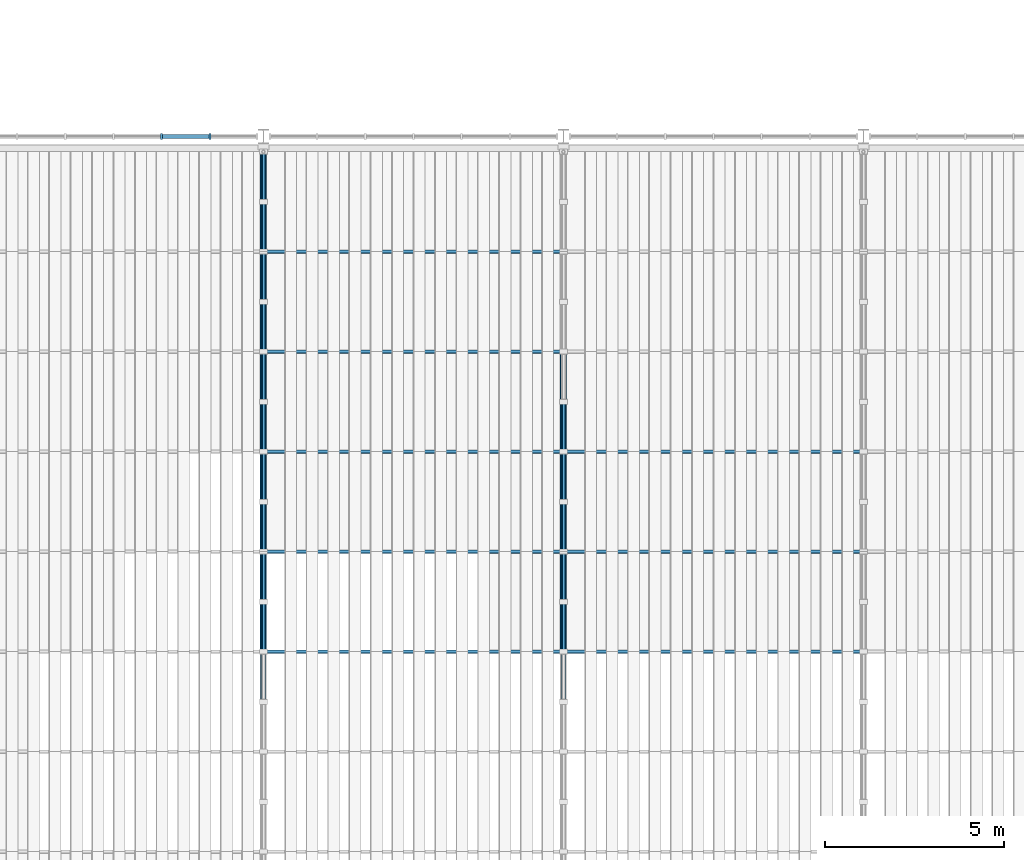
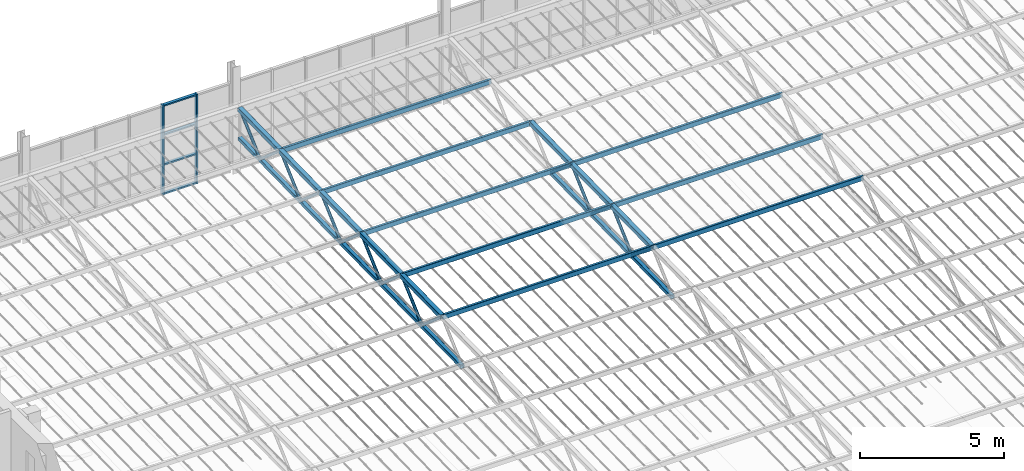
# One storey, part 21 of 129: 46 members, 1 element without a shape of its own.
"""IFC4 building model written with IfcOpenShell, lengths in metres."""

from ifc_helpers import new_model, si_unit, direction, frame, origin, origin_2d, place, context, subcontext, project, spatial, rectangle, hollow_rectangle, hollow_circle, extrude, material, layer, layer_set, material_profile, profile_set, type_object, element, aggregate, save


model = new_model("IFC4")

# Units and contexts
model_context = context("Model", 3, precision=1e-05, world=origin(), true_north=direction((0.0, 1.0)))
body_context = subcontext(model_context, "Body", "Model", "MODEL_VIEW")
ifc_project = project(units=[si_unit("LENGTHUNIT", "METRE"), si_unit("AREAUNIT", "SQUARE_METRE"), si_unit("VOLUMEUNIT", "CUBIC_METRE"), si_unit("PLANEANGLEUNIT", "RADIAN"), si_unit("MASSUNIT", "GRAM", prefix="KILO")], contexts=[model_context])

# Site, building, storey
site_placement = place(None, origin())
site = spatial("IfcSite", under=ifc_project, at=site_placement, CompositionType="ELEMENT")
building_placement = place(site_placement, origin())
building = spatial("IfcBuilding", under=site, at=building_placement, Name="Ardhachandra Cancer Care Centre", CompositionType="ELEMENT")
storey_placement = place(building_placement, frame((0.0, 0.0, 4.5)))
storey = spatial("IfcBuildingStorey", under=building, at=storey_placement, Name="L01", CompositionType="ELEMENT", Elevation=4.5)

# Members
ifc_material_1 = material(Name="Steel E350 (IS 2062)", Category="steel")
ifc_material_profile_1 = material_profile(ifc_material_1, hollow_rectangle(XDim=0.10009765625, YDim=0.199951171875, WallThickness=0.006103515625, InnerFilletRadius=0.006103515625, OuterFilletRadius=0.011962890625, at=origin_2d()), Name="RHS 200x100x6.0")
ifc_profile_set_1 = profile_set([ifc_material_profile_1], Name="Steel E350 (IS 2062)")
member_type_1 = type_object("IfcMemberType", Name="Canopy purlin RHS 200x100x6.0", PredefinedType="PURLIN", material=ifc_profile_set_1)
for number, where, z_axis, x_axis, name in (
    (1, (61.199951171875, 51.375, 2.78759765625), (1.0, 0.0, 0.0), (0.0, 1.0, 0.0), "Canopy purlin 1-3"),
    (2, (61.199951171875, 48.574951171875, 2.7314453125), (1.0, 0.0, 0.0), (0.0, 1.0, 0.0), "Canopy purlin 2-3"),
    (3, (61.199951171875, 45.77490234375, 2.675537109375), (1.0, 0.0, 0.0), (0.0, 1.0, 0.0), "Canopy purlin 3-3"),
):
    element("IfcMember", number, at=place(storey_placement, frame(where, z_axis=z_axis, x_axis=x_axis)), inside=storey, type_object=member_type_1, Name=name, PredefinedType="PURLIN", context=body_context, shape_type="SweptSolid", body=[
        extrude(hollow_rectangle(XDim=0.10009765625, YDim=0.199951171875, WallThickness=0.006103515625, InnerFilletRadius=0.006103515625, OuterFilletRadius=0.011962890625, at=origin_2d()), origin(), (0.0, 0.0, 1.0), 8.400146484375),
    ])
member_1_placement = place(storey_placement, frame((69.60009765625, 45.77490234375, 2.675537109375), z_axis=(1.0, 0.0, 0.0), x_axis=(0.0, 1.0, 0.0)))
element("IfcMember", 4, at=member_1_placement, inside=storey, type_object=member_type_1, Name="Canopy purlin 3-4", PredefinedType="PURLIN", context=body_context, shape_type="SweptSolid", body=[
    extrude(hollow_rectangle(XDim=0.10009765625, YDim=0.199951171875, WallThickness=0.006103515625, InnerFilletRadius=0.006103515625, OuterFilletRadius=0.011962890625, at=origin_2d()), origin(), (0.0, 0.0, 1.0), 8.39990234375),
])
member_2_placement = place(storey_placement, frame((61.199951171875, 42.97509765625, 2.619384765625), z_axis=(1.0, 0.0, 0.0), x_axis=(0.0, 1.0, 0.0)))
element("IfcMember", 5, at=member_2_placement, inside=storey, type_object=member_type_1, Name="Canopy purlin 4-3", PredefinedType="PURLIN", context=body_context, shape_type="SweptSolid", body=[
    extrude(hollow_rectangle(XDim=0.10009765625, YDim=0.199951171875, WallThickness=0.006103515625, InnerFilletRadius=0.006103515625, OuterFilletRadius=0.011962890625, at=origin_2d()), origin(), (0.0, 0.0, 1.0), 8.400146484375),
])
member_3_placement = place(storey_placement, frame((69.60009765625, 42.97509765625, 2.619384765625), z_axis=(1.0, 0.0, 0.0), x_axis=(0.0, 1.0, 0.0)))
element("IfcMember", 6, at=member_3_placement, inside=storey, type_object=member_type_1, Name="Canopy purlin 4-4", PredefinedType="PURLIN", context=body_context, shape_type="SweptSolid", body=[
    extrude(hollow_rectangle(XDim=0.10009765625, YDim=0.199951171875, WallThickness=0.006103515625, InnerFilletRadius=0.006103515625, OuterFilletRadius=0.011962890625, at=origin_2d()), origin(), (0.0, 0.0, 1.0), 8.39990234375),
])
member_4_placement = place(storey_placement, frame((61.199951171875, 40.175048828125, 2.5634765625), z_axis=(1.0, 0.0, 0.0), x_axis=(0.0, 1.0, 0.0)))
element("IfcMember", 7, at=member_4_placement, inside=storey, type_object=member_type_1, Name="Canopy purlin 5-3", PredefinedType="PURLIN", context=body_context, shape_type="SweptSolid", body=[
    extrude(hollow_rectangle(XDim=0.10009765625, YDim=0.199951171875, WallThickness=0.006103515625, InnerFilletRadius=0.006103515625, OuterFilletRadius=0.011962890625, at=origin_2d()), origin(), (0.0, 0.0, 1.0), 8.400146484375),
])
member_5_placement = place(storey_placement, frame((69.60009765625, 40.175048828125, 2.5634765625), z_axis=(1.0, 0.0, 0.0), x_axis=(0.0, 1.0, 0.0)))
element("IfcMember", 8, at=member_5_placement, inside=storey, type_object=member_type_1, Name="Canopy purlin 5-4", PredefinedType="PURLIN", context=body_context, shape_type="SweptSolid", body=[
    extrude(hollow_rectangle(XDim=0.10009765625, YDim=0.199951171875, WallThickness=0.006103515625, InnerFilletRadius=0.006103515625, OuterFilletRadius=0.011962890625, at=origin_2d()), origin(), (0.0, 0.0, 1.0), 8.39990234375),
])
ifc_material_2 = material(Name="Steel E350 (IS 2062)", Category="steel")
ifc_material_profile_2 = material_profile(ifc_material_2, hollow_rectangle(XDim=0.14990234375, YDim=0.14990234375, WallThickness=0.006103515625, InnerFilletRadius=0.006103515625, OuterFilletRadius=0.011962890625, at=origin_2d()), Name="SHS 150x150x6.0")
ifc_profile_set_2 = profile_set([ifc_material_profile_2], Name="Steel E350 (IS 2062)")
member_type_2 = type_object("IfcMemberType", Name="Canopy truss bottom chord SHS 150x150x6.0", PredefinedType="CHORD", material=ifc_profile_set_2)
member_6_placement = place(storey_placement, frame((61.199951171875, 54.175048828125, 1.618408203125), z_axis=(0.0, -0.999802492231, -0.019874016411), x_axis=(1.0, 0.0, 0.0)))
element("IfcMember", 9, at=member_6_placement, inside=storey, type_object=member_type_2, Name="Canopy truss 3 bottom chord BC11", PredefinedType="CHORD", context=body_context, shape_type="SweptSolid", body=[
    extrude(hollow_rectangle(XDim=0.14990234375, YDim=0.14990234375, WallThickness=0.006103515625, InnerFilletRadius=0.006103515625, OuterFilletRadius=0.011962890625, at=origin_2d()), origin(), (0.0, 0.0, 1.0), 1.400390625),
])
member_7_placement = place(storey_placement, frame((61.199951171875, 52.77490234375, 1.590576171875), z_axis=(0.0, -0.999798942946, -0.020051775103), x_axis=(1.0, 0.0, 0.0)))
element("IfcMember", 10, at=member_7_placement, inside=storey, type_object=member_type_2, Name="Canopy truss 3 bottom chord BC12", PredefinedType="CHORD", context=body_context, shape_type="SweptSolid", body=[
    extrude(hollow_rectangle(XDim=0.14990234375, YDim=0.14990234375, WallThickness=0.006103515625, InnerFilletRadius=0.006103515625, OuterFilletRadius=0.011962890625, at=origin_2d()), origin(), (0.0, 0.0, 1.0), 2.80029296875),
])
for number, where, z_axis, x_axis, name in (
    (11, (61.199951171875, 49.97509765625, 1.534423828125), (0.0, -0.999800721691, -0.019962888244), (1.0, 0.0, 0.0), "Canopy truss 3 bottom chord BC13"),
    (12, (61.199951171875, 47.175048828125, 1.478515625), (0.0, -0.999800721691, -0.019962888244), (1.0, 0.0, 0.0), "Canopy truss 3 bottom chord BC14"),
    (13, (61.199951171875, 44.375, 1.422607421875), (0.0, -0.999798977995, -0.02005002746), (1.0, 0.0, 0.0), "Canopy truss 3 bottom chord BC15"),
    (14, (61.199951171875, 41.574951171875, 1.366455078125), (0.0, -0.999800721691, -0.019962888244), (1.0, 0.0, 0.0), "Canopy truss 3 bottom chord BC16"),
    (15, (69.60009765625, 47.175048828125, 1.478515625), (0.0, -0.999800721691, -0.019962888244), (1.0, 0.0, 0.0), "Canopy truss 4 bottom chord BC15"),
    (16, (69.60009765625, 44.375, 1.422607421875), (0.0, -0.999798977995, -0.02005002746), (1.0, 0.0, 0.0), "Canopy truss 4 bottom chord BC16"),
    (17, (69.60009765625, 41.574951171875, 1.366455078125), (0.0, -0.999800721691, -0.019962888244), (1.0, 0.0, 0.0), "Canopy truss 4 bottom chord BC17"),
):
    element("IfcMember", number, at=place(storey_placement, frame(where, z_axis=z_axis, x_axis=x_axis)), inside=storey, type_object=member_type_2, Name=name, PredefinedType="CHORD", context=body_context, shape_type="SweptSolid", body=[
        extrude(hollow_rectangle(XDim=0.14990234375, YDim=0.14990234375, WallThickness=0.006103515625, InnerFilletRadius=0.006103515625, OuterFilletRadius=0.011962890625, at=origin_2d()), origin(), (0.0, 0.0, 1.0), 2.800537109375),
    ])
ifc_material_3 = material(Name="Steel E350 (IS 2062)", Category="steel")
ifc_material_profile_3 = material_profile(ifc_material_3, hollow_circle(Radius=0.05712890625, WallThickness=0.0048828125, at=origin_2d()), Name="CHS 114.3x5.0")
ifc_profile_set_3 = profile_set([ifc_material_profile_3], Name="Steel E350 (IS 2062)")
member_type_3 = type_object("IfcMemberType", Name="Canopy truss diagonal CHS 114.3x5.0", PredefinedType="BRACE", material=ifc_profile_set_3)
member_8_placement = place(storey_placement, frame((61.199951171875, 54.175048828125, 2.853515625), z_axis=(0.0, -0.742553308775, -0.669786968839), x_axis=(1.0, 0.0, 0.0)))
element("IfcMember", 18, at=member_8_placement, inside=storey, type_object=member_type_3, Name="Canopy truss 3 web diagonal WD22", PredefinedType="BRACE", context=body_context, shape_type="SweptSolid", body=[
    extrude(hollow_circle(Radius=0.05712890625, WallThickness=0.0048828125, at=origin_2d()), origin(), (0.0, 0.0, 1.0), 1.885498046875),
])
member_9_placement = place(storey_placement, frame((61.199951171875, 52.77490234375, 1.590576171875), z_axis=(0.0, -0.757351396119, 0.653007551868), x_axis=(1.0, 0.0, 0.0)))
element("IfcMember", 19, at=member_9_placement, inside=storey, type_object=member_type_3, Name="Canopy truss 3 web diagonal WD23", PredefinedType="BRACE", context=body_context, shape_type="SweptSolid", body=[
    extrude(hollow_circle(Radius=0.05712890625, WallThickness=0.0048828125, at=origin_2d()), origin(), (0.0, 0.0, 1.0), 1.848388671875),
])
member_10_placement = place(storey_placement, frame((61.199951171875, 51.375, 2.797607421875), z_axis=(0.0, -0.742430813776, -0.669922746857), x_axis=(1.0, 0.0, 0.0)))
element("IfcMember", 20, at=member_10_placement, inside=storey, type_object=member_type_3, Name="Canopy truss 3 web diagonal WD24", PredefinedType="BRACE", context=body_context, shape_type="SweptSolid", body=[
    extrude(hollow_circle(Radius=0.05712890625, WallThickness=0.0048828125, at=origin_2d()), origin(), (0.0, 0.0, 1.0), 1.885498046875),
])
member_11_placement = place(storey_placement, frame((61.199951171875, 49.97509765625, 1.534423828125), z_axis=(0.0, -0.75740770942, 0.65294223459), x_axis=(1.0, 0.0, 0.0)))
element("IfcMember", 21, at=member_11_placement, inside=storey, type_object=member_type_3, Name="Canopy truss 3 web diagonal WD25", PredefinedType="BRACE", context=body_context, shape_type="SweptSolid", body=[
    extrude(hollow_circle(Radius=0.05712890625, WallThickness=0.0048828125, at=origin_2d()), origin(), (0.0, 0.0, 1.0), 1.8486328125),
])
member_12_placement = place(storey_placement, frame((61.199951171875, 48.574951171875, 2.741455078125), z_axis=(0.0, -0.742495214915, -0.669851368461), x_axis=(1.0, 0.0, 0.0)))
element("IfcMember", 22, at=member_12_placement, inside=storey, type_object=member_type_3, Name="Canopy truss 3 web diagonal WD26", PredefinedType="BRACE", context=body_context, shape_type="SweptSolid", body=[
    extrude(hollow_circle(Radius=0.05712890625, WallThickness=0.0048828125, at=origin_2d()), origin(), (0.0, 0.0, 1.0), 1.885498046875),
])
member_13_placement = place(storey_placement, frame((61.199951171875, 47.175048828125, 1.478515625), z_axis=(0.0, -0.75740770942, 0.65294223459), x_axis=(1.0, 0.0, 0.0)))
element("IfcMember", 23, at=member_13_placement, inside=storey, type_object=member_type_3, Name="Canopy truss 3 web diagonal WD27", PredefinedType="BRACE", context=body_context, shape_type="SweptSolid", body=[
    extrude(hollow_circle(Radius=0.05712890625, WallThickness=0.0048828125, at=origin_2d()), origin(), (0.0, 0.0, 1.0), 1.8486328125),
])
member_14_placement = place(storey_placement, frame((61.199951171875, 45.77490234375, 2.685546875), z_axis=(0.0, -0.742495214915, -0.669851368461), x_axis=(1.0, 0.0, 0.0)))
element("IfcMember", 24, at=member_14_placement, inside=storey, type_object=member_type_3, Name="Canopy truss 3 web diagonal WD28", PredefinedType="BRACE", context=body_context, shape_type="SweptSolid", body=[
    extrude(hollow_circle(Radius=0.05712890625, WallThickness=0.0048828125, at=origin_2d()), origin(), (0.0, 0.0, 1.0), 1.885498046875),
])
member_15_placement = place(storey_placement, frame((61.199951171875, 44.375, 1.422607421875), z_axis=(0.0, -0.757416719347, 0.652931783002), x_axis=(1.0, 0.0, 0.0)))
element("IfcMember", 25, at=member_15_placement, inside=storey, type_object=member_type_3, Name="Canopy truss 3 web diagonal WD29", PredefinedType="BRACE", context=body_context, shape_type="SweptSolid", body=[
    extrude(hollow_circle(Radius=0.05712890625, WallThickness=0.0048828125, at=origin_2d()), origin(), (0.0, 0.0, 1.0), 1.84814453125),
])
member_16_placement = place(storey_placement, frame((61.199951171875, 42.97509765625, 2.62939453125), z_axis=(0.0, -0.742553308775, -0.669786968839), x_axis=(1.0, 0.0, 0.0)))
element("IfcMember", 26, at=member_16_placement, inside=storey, type_object=member_type_3, Name="Canopy truss 3 web diagonal WD30", PredefinedType="BRACE", context=body_context, shape_type="SweptSolid", body=[
    extrude(hollow_circle(Radius=0.05712890625, WallThickness=0.0048828125, at=origin_2d()), origin(), (0.0, 0.0, 1.0), 1.885498046875),
])
member_17_placement = place(storey_placement, frame((61.199951171875, 41.574951171875, 1.366455078125), z_axis=(0.0, -0.757351396119, 0.653007551868), x_axis=(1.0, 0.0, 0.0)))
element("IfcMember", 27, at=member_17_placement, inside=storey, type_object=member_type_3, Name="Canopy truss 3 web diagonal WD31", PredefinedType="BRACE", context=body_context, shape_type="SweptSolid", body=[
    extrude(hollow_circle(Radius=0.05712890625, WallThickness=0.0048828125, at=origin_2d()), origin(), (0.0, 0.0, 1.0), 1.848388671875),
])
member_18_placement = place(storey_placement, frame((69.60009765625, 47.175048828125, 1.478515625), z_axis=(0.0, -0.75740770942, 0.65294223459), x_axis=(1.0, 0.0, 0.0)))
element("IfcMember", 28, at=member_18_placement, inside=storey, type_object=member_type_3, Name="Canopy truss 4 web diagonal WD28", PredefinedType="BRACE", context=body_context, shape_type="SweptSolid", body=[
    extrude(hollow_circle(Radius=0.05712890625, WallThickness=0.0048828125, at=origin_2d()), origin(), (0.0, 0.0, 1.0), 1.8486328125),
])
member_19_placement = place(storey_placement, frame((69.60009765625, 45.77490234375, 2.685546875), z_axis=(0.0, -0.742495214915, -0.669851368461), x_axis=(1.0, 0.0, 0.0)))
element("IfcMember", 29, at=member_19_placement, inside=storey, type_object=member_type_3, Name="Canopy truss 4 web diagonal WD29", PredefinedType="BRACE", context=body_context, shape_type="SweptSolid", body=[
    extrude(hollow_circle(Radius=0.05712890625, WallThickness=0.0048828125, at=origin_2d()), origin(), (0.0, 0.0, 1.0), 1.885498046875),
])
member_20_placement = place(storey_placement, frame((69.60009765625, 44.375, 1.422607421875), z_axis=(0.0, -0.757416719347, 0.652931783002), x_axis=(1.0, 0.0, 0.0)))
element("IfcMember", 30, at=member_20_placement, inside=storey, type_object=member_type_3, Name="Canopy truss 4 web diagonal WD30", PredefinedType="BRACE", context=body_context, shape_type="SweptSolid", body=[
    extrude(hollow_circle(Radius=0.05712890625, WallThickness=0.0048828125, at=origin_2d()), origin(), (0.0, 0.0, 1.0), 1.84814453125),
])
member_21_placement = place(storey_placement, frame((69.60009765625, 42.97509765625, 2.62939453125), z_axis=(0.0, -0.742553308775, -0.669786968839), x_axis=(1.0, 0.0, 0.0)))
element("IfcMember", 31, at=member_21_placement, inside=storey, type_object=member_type_3, Name="Canopy truss 4 web diagonal WD31", PredefinedType="BRACE", context=body_context, shape_type="SweptSolid", body=[
    extrude(hollow_circle(Radius=0.05712890625, WallThickness=0.0048828125, at=origin_2d()), origin(), (0.0, 0.0, 1.0), 1.885498046875),
])
member_22_placement = place(storey_placement, frame((69.60009765625, 41.574951171875, 1.366455078125), z_axis=(0.0, -0.757351396119, 0.653007551868), x_axis=(1.0, 0.0, 0.0)))
element("IfcMember", 32, at=member_22_placement, inside=storey, type_object=member_type_3, Name="Canopy truss 4 web diagonal WD32", PredefinedType="BRACE", context=body_context, shape_type="SweptSolid", body=[
    extrude(hollow_circle(Radius=0.05712890625, WallThickness=0.0048828125, at=origin_2d()), origin(), (0.0, 0.0, 1.0), 1.848388671875),
])
ifc_material_4 = material(Name="Steel E350 (IS 2062)", Category="steel")
ifc_material_profile_4 = material_profile(ifc_material_4, hollow_rectangle(XDim=0.179931640625, YDim=0.179931640625, WallThickness=0.008056640625, InnerFilletRadius=0.008056640625, OuterFilletRadius=0.01611328125, at=origin_2d()), Name="SHS 180x180x8.0")
ifc_profile_set_4 = profile_set([ifc_material_profile_4], Name="Steel E350 (IS 2062)")
member_type_4 = type_object("IfcMemberType", Name="Canopy truss top chord SHS 180x180x8.0", PredefinedType="CHORD", material=ifc_profile_set_4)
for number, where, z_axis, x_axis, name in (
    (33, (61.199951171875, 54.175048828125, 2.853515625), (0.0, -0.999800721691, -0.019962888244), (1.0, 0.0, 0.0), "Canopy truss 3 top chord TC1"),
    (34, (61.199951171875, 51.375, 2.797607421875), (0.0, -0.999798977995, -0.02005002746), (1.0, 0.0, 0.0), "Canopy truss 3 top chord TC2"),
    (35, (61.199951171875, 48.574951171875, 2.741455078125), (0.0, -0.999800721691, -0.019962888244), (1.0, 0.0, 0.0), "Canopy truss 3 top chord TC3"),
):
    element("IfcMember", number, at=place(storey_placement, frame(where, z_axis=z_axis, x_axis=x_axis)), inside=storey, type_object=member_type_4, Name=name, PredefinedType="CHORD", context=body_context, shape_type="SweptSolid", body=[
        extrude(hollow_rectangle(XDim=0.179931640625, YDim=0.179931640625, WallThickness=0.008056640625, InnerFilletRadius=0.008056640625, OuterFilletRadius=0.01611328125, at=origin_2d()), origin(), (0.0, 0.0, 1.0), 2.800537109375),
    ])
member_23_placement = place(storey_placement, frame((61.199951171875, 45.77490234375, 2.685546875), z_axis=(0.0, -0.999798942946, -0.020051775103), x_axis=(1.0, 0.0, 0.0)))
element("IfcMember", 36, at=member_23_placement, inside=storey, type_object=member_type_4, Name="Canopy truss 3 top chord TC4", PredefinedType="CHORD", context=body_context, shape_type="SweptSolid", body=[
    extrude(hollow_rectangle(XDim=0.179931640625, YDim=0.179931640625, WallThickness=0.008056640625, InnerFilletRadius=0.008056640625, OuterFilletRadius=0.01611328125, at=origin_2d()), origin(), (0.0, 0.0, 1.0), 2.80029296875),
])
for number, where, z_axis, x_axis, name in (
    (37, (61.199951171875, 42.97509765625, 2.62939453125), (0.0, -0.999800721691, -0.019962888244), (1.0, 0.0, 0.0), "Canopy truss 3 top chord TC5"),
    (38, (69.60009765625, 48.574951171875, 2.741455078125), (0.0, -0.999800721691, -0.019962888244), (1.0, 0.0, 0.0), "Canopy truss 4 top chord TC3"),
):
    element("IfcMember", number, at=place(storey_placement, frame(where, z_axis=z_axis, x_axis=x_axis)), inside=storey, type_object=member_type_4, Name=name, PredefinedType="CHORD", context=body_context, shape_type="SweptSolid", body=[
        extrude(hollow_rectangle(XDim=0.179931640625, YDim=0.179931640625, WallThickness=0.008056640625, InnerFilletRadius=0.008056640625, OuterFilletRadius=0.01611328125, at=origin_2d()), origin(), (0.0, 0.0, 1.0), 2.800537109375),
    ])
member_24_placement = place(storey_placement, frame((69.60009765625, 45.77490234375, 2.685546875), z_axis=(0.0, -0.999798942946, -0.020051775103), x_axis=(1.0, 0.0, 0.0)))
element("IfcMember", 39, at=member_24_placement, inside=storey, type_object=member_type_4, Name="Canopy truss 4 top chord TC4", PredefinedType="CHORD", context=body_context, shape_type="SweptSolid", body=[
    extrude(hollow_rectangle(XDim=0.179931640625, YDim=0.179931640625, WallThickness=0.008056640625, InnerFilletRadius=0.008056640625, OuterFilletRadius=0.01611328125, at=origin_2d()), origin(), (0.0, 0.0, 1.0), 2.80029296875),
])
member_25_placement = place(storey_placement, frame((69.60009765625, 42.97509765625, 2.62939453125), z_axis=(0.0, -0.999800721691, -0.019962888244), x_axis=(1.0, 0.0, 0.0)))
element("IfcMember", 40, at=member_25_placement, inside=storey, type_object=member_type_4, Name="Canopy truss 4 top chord TC5", PredefinedType="CHORD", context=body_context, shape_type="SweptSolid", body=[
    extrude(hollow_rectangle(XDim=0.179931640625, YDim=0.179931640625, WallThickness=0.008056640625, InnerFilletRadius=0.008056640625, OuterFilletRadius=0.01611328125, at=origin_2d()), origin(), (0.0, 0.0, 1.0), 2.800537109375),
])

# Curtain wall, members
ifc_material_5 = material(Name="Aluminium extrusion", Category="aluminium")
ifc_layer = layer(ifc_material_5, 0.14990234375)
ifc_layer_set = layer_set([ifc_layer], Name="Aluminium extrusion")
curtain_wall_type = type_object("IfcCurtainWallType", Name="Curtain wall run", PredefinedType="NOTDEFINED", material=ifc_layer_set)
curtain_wall_placement = place(storey_placement, origin())
curtain_wall = element("IfcCurtainWall", 41, at=curtain_wall_placement, inside=storey, type_object=curtain_wall_type, Name="Curtain wall L01 s/0052800_0054600", PredefinedType="NOTDEFINED")
ifc_material_6 = material(Name="Aluminium extrusion", Category="aluminium")
ifc_material_profile_5 = material_profile(ifc_material_6, rectangle(XDim=0.159912109375, YDim=0.06005859375, at=origin_2d()), Name="Curtain wall mullion 60 x 160")
ifc_profile_set_5 = profile_set([ifc_material_profile_5], Name="Aluminium extrusion")
member_type_5 = type_object("IfcMemberType", Name="Curtain wall mullion 60 x 160", PredefinedType="MULLION", material=ifc_profile_set_5)
member_26_placement = place(storey_placement, frame((58.35009765625, 54.60009765625, 0.0), z_axis=(0.0, 0.0, 1.0), x_axis=(0.0, 1.0, 0.0)))
member_26 = element("IfcMember", 42, at=member_26_placement, type_object=member_type_5, Name="CW mullion 5", PredefinedType="MULLION", context=body_context, shape_type="SweptSolid", body=[
    extrude(rectangle(XDim=0.159912109375, YDim=0.06005859375, at=origin_2d()), origin(), (0.0, 0.0, 1.0), 3.780517578125),
])
member_27_placement = place(storey_placement, frame((59.699951171875, 54.60009765625, 0.0), z_axis=(0.0, 0.0, 1.0), x_axis=(0.0, 1.0, 0.0)))
member_27 = element("IfcMember", 43, at=member_27_placement, type_object=member_type_5, Name="CW mullion 6", PredefinedType="MULLION", context=body_context, shape_type="SweptSolid", body=[
    extrude(rectangle(XDim=0.159912109375, YDim=0.06005859375, at=origin_2d()), origin(), (0.0, 0.0, 1.0), 3.780517578125),
])
ifc_material_7 = material(Name="Aluminium extrusion", Category="aluminium")
ifc_material_profile_6 = material_profile(ifc_material_7, rectangle(XDim=0.1201171875, YDim=0.06005859375, at=origin_2d()), Name="Curtain wall transom 60 x 120")
ifc_profile_set_6 = profile_set([ifc_material_profile_6], Name="Aluminium extrusion")
member_type_6 = type_object("IfcMemberType", Name="Curtain wall transom 60 x 120", PredefinedType="USERDEFINED", material=ifc_profile_set_6)
member_28_placement = place(storey_placement, frame((58.3798828125, 54.60009765625, 0.030029296875), z_axis=(1.0, 0.0, 0.0), x_axis=(0.0, 1.0, 0.0)))
member_28 = element("IfcMember", 44, at=member_28_placement, type_object=member_type_6, Name="CW transom 5.1", ObjectType="TRANSOM", PredefinedType="USERDEFINED", context=body_context, shape_type="SweptSolid", body=[
    extrude(rectangle(XDim=0.1201171875, YDim=0.06005859375, at=origin_2d()), origin(), (0.0, 0.0, 1.0), 1.2900390625),
])
member_29_placement = place(storey_placement, frame((58.3798828125, 54.60009765625, 1.26025390625), z_axis=(1.0, 0.0, 0.0), x_axis=(0.0, 1.0, 0.0)))
member_29 = element("IfcMember", 45, at=member_29_placement, type_object=member_type_6, Name="CW transom 5.2", ObjectType="TRANSOM", PredefinedType="USERDEFINED", context=body_context, shape_type="SweptSolid", body=[
    extrude(rectangle(XDim=0.1201171875, YDim=0.06005859375, at=origin_2d()), origin(), (0.0, 0.0, 1.0), 1.2900390625),
])
member_30_placement = place(storey_placement, frame((58.3798828125, 54.60009765625, 2.520263671875), z_axis=(1.0, 0.0, 0.0), x_axis=(0.0, 1.0, 0.0)))
member_30 = element("IfcMember", 46, at=member_30_placement, type_object=member_type_6, Name="CW transom 5.3", ObjectType="TRANSOM", PredefinedType="USERDEFINED", context=body_context, shape_type="SweptSolid", body=[
    extrude(rectangle(XDim=0.1201171875, YDim=0.06005859375, at=origin_2d()), origin(), (0.0, 0.0, 1.0), 1.2900390625),
])
member_31_placement = place(storey_placement, frame((58.3798828125, 54.60009765625, 3.75048828125), z_axis=(1.0, 0.0, 0.0), x_axis=(0.0, 1.0, 0.0)))
member_31 = element("IfcMember", 47, at=member_31_placement, type_object=member_type_6, Name="CW transom 5.4", ObjectType="TRANSOM", PredefinedType="USERDEFINED", context=body_context, shape_type="SweptSolid", body=[
    extrude(rectangle(XDim=0.1201171875, YDim=0.06005859375, at=origin_2d()), origin(), (0.0, 0.0, 1.0), 1.2900390625),
])
aggregate(curtain_wall, [member_26, member_27, member_28, member_29, member_30, member_31])

save(model, "model.ifc")
